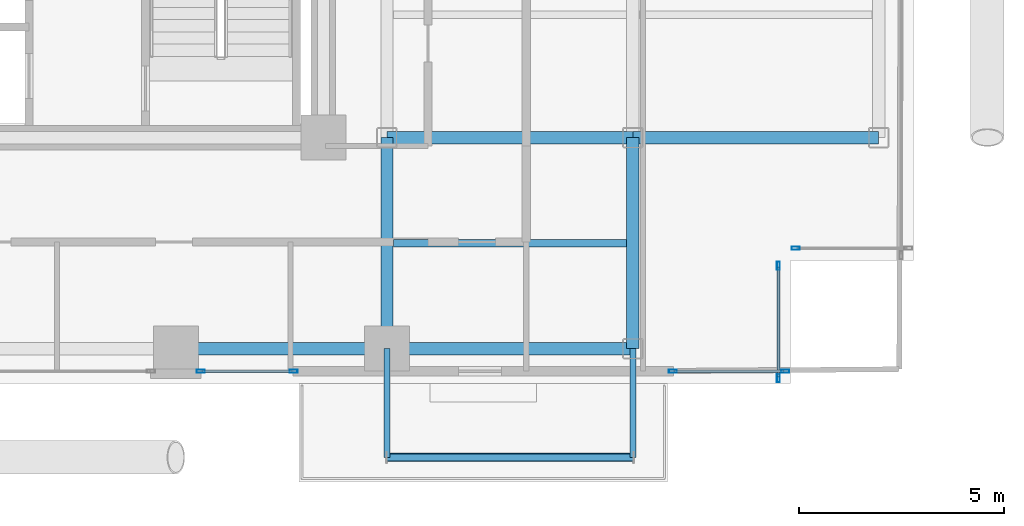
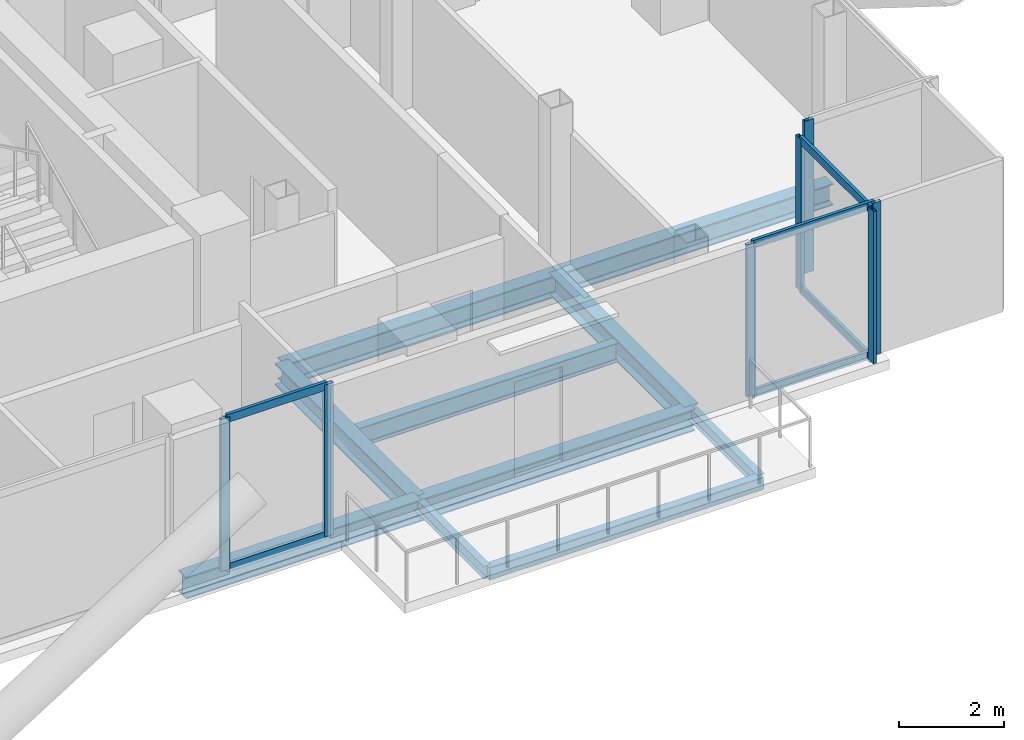
# One storey, part 10 of 28: 13 members, 10 beams, 4 elements without a shape of their own.
"""IFC4 building model written with IfcOpenShell, lengths in metres."""

from ifc_helpers import new_model, si_unit, direction, frame, origin, origin_2d, place, context, subcontext, project, spatial, hollow_rectangle, i_section, extrude, material, layer, layer_set, material_profile, profile_set, type_object, element, aggregate, save


model = new_model("IFC4")

# Units and contexts
model_context = context("Model", 3, precision=1e-05, world=origin(), true_north=direction((0.0, 1.0)))
body_context = subcontext(model_context, "Body", "Model", "MODEL_VIEW")
ifc_project = project(units=[si_unit("LENGTHUNIT", "METRE"), si_unit("AREAUNIT", "SQUARE_METRE"), si_unit("VOLUMEUNIT", "CUBIC_METRE"), si_unit("PLANEANGLEUNIT", "RADIAN"), si_unit("MASSUNIT", "GRAM", prefix="KILO"), si_unit("THERMODYNAMICTEMPERATUREUNIT", "KELVIN"), si_unit("POWERUNIT", "WATT")], contexts=[model_context])

# Site, building, storey
site_placement = place(None, origin())
site = spatial("IfcSite", under=ifc_project, at=site_placement, CompositionType="ELEMENT")
building_placement = place(site_placement, origin())
building = spatial("IfcBuilding", under=site, at=building_placement, Name="Svarakhadi Broadcast Tower", CompositionType="ELEMENT")
storey_placement = place(building_placement, frame((0.0, 0.0, 153.14990234375)))
storey = spatial("IfcBuildingStorey", under=building, at=storey_placement, Name="L37", CompositionType="ELEMENT", Elevation=153.14990234375)

# Beam
ifc_material_1 = material(Name="Steel S355J2 (IS 2062 E350C)", Category="steel")
ifc_material_profile_1 = material_profile(ifc_material_1, i_section(OverallWidth=0.18994140625, OverallDepth=0.449951171875, WebThickness=0.009521484375, FlangeThickness=0.0146484375, FilletRadius=0.02099609375, at=origin_2d()), Name="NPB 450x190x78")
ifc_profile_set_1 = profile_set([ifc_material_profile_1], Name="Steel S355J2 (IS 2062 E350C)")
beam_type_1 = type_object("IfcBeamType", Name="Beam_NPB450", PredefinedType="BEAM", material=ifc_profile_set_1)
beam_1_placement = place(storey_placement, frame((35.31005859375, 3.425048828125, -0.449951171875), z_axis=(1.0, 0.0, 0.0), x_axis=(0.0, 1.0, 0.0)))
element("IfcBeam", 1, at=beam_1_placement, inside=storey, type_object=beam_type_1, Name="L37 Secondary Composite Beam SB019", PredefinedType="BEAM", context=body_context, shape_type="SweptSolid", body=[
    extrude(i_section(OverallWidth=0.18994140625, OverallDepth=0.449951171875, WebThickness=0.009521484375, FlangeThickness=0.0146484375, FilletRadius=0.02099609375, at=origin_2d()), origin(), (0.0, 0.0, 1.0), 5.679931640625),
])

# Curtain wall, member
ifc_material_2 = material(Name="Anodised Bronze Aluminium AA 6063-T6", Category="aluminium")
ifc_layer = layer(ifc_material_2, 0.199951171875)
ifc_layer_set = layer_set([ifc_layer], Name="Anodised Bronze Aluminium AA 6063-T6")
curtain_wall_type = type_object("IfcCurtainWallType", Name="CW_Sys_03", PredefinedType="NOTDEFINED", material=ifc_layer_set)
curtain_wall_1_placement = place(storey_placement, origin())
curtain_wall_1 = element("IfcCurtainWall", 2, at=curtain_wall_1_placement, inside=storey, type_object=curtain_wall_type, Name="L37 Unitised Facade Curtain Wall 14", PredefinedType="NOTDEFINED")
ifc_material_profile_2 = material_profile(ifc_material_2, hollow_rectangle(XDim=0.074951171875, YDim=0.199951171875, WallThickness=0.005615234375, at=origin_2d()), Name="ALU MULLION 200x75x6")
ifc_profile_set_2 = profile_set([ifc_material_profile_2], Name="Anodised Bronze Aluminium AA 6063-T6")
member_type_1 = type_object("IfcMemberType", Name="CW_Sys_03_Mul", PredefinedType="MULLION", material=ifc_profile_set_2)
member_1_placement = place(storey_placement, frame((45.12744140625, 3.300048828125, 0.0), z_axis=(0.0, 0.0, 1.0), x_axis=(0.0, -1.0, 0.0)))
member_1 = element("IfcMember", 3, at=member_1_placement, type_object=member_type_1, Name="CW-03 mullion 2", PredefinedType="MULLION", context=body_context, shape_type="SweptSolid", body=[
    extrude(hollow_rectangle(XDim=0.074951171875, YDim=0.199951171875, WallThickness=0.005615234375, at=origin_2d()), origin(), (0.0, 0.0, 1.0), 3.525146484375),
])
aggregate(curtain_wall_1, [member_1])

# Curtain wall, members
curtain_wall_2_placement = place(storey_placement, origin())
curtain_wall_2 = element("IfcCurtainWall", 4, at=curtain_wall_2_placement, inside=storey, type_object=curtain_wall_type, Name="L37 Unitised Facade Curtain Wall 15", PredefinedType="NOTDEFINED")
member_2_placement = place(storey_placement, frame((44.699951171875, 2.87255859375, 0.0), z_axis=(0.0, 0.0, 1.0), x_axis=(1.0, 0.0, 0.0)))
member_2 = element("IfcMember", 5, at=member_2_placement, type_object=member_type_1, Name="CW-03 mullion 1", PredefinedType="MULLION", context=body_context, shape_type="SweptSolid", body=[
    extrude(hollow_rectangle(XDim=0.074951171875, YDim=0.199951171875, WallThickness=0.005615234375, at=origin_2d()), origin(), (0.0, 0.0, 1.0), 3.525146484375),
])
member_3_placement = place(storey_placement, frame((44.699951171875, 0.12744140625, 0.0), z_axis=(0.0, 0.0, 1.0), x_axis=(1.0, 0.0, 0.0)))
member_3 = element("IfcMember", 6, at=member_3_placement, type_object=member_type_1, Name="CW-03 mullion 2", PredefinedType="MULLION", context=body_context, shape_type="SweptSolid", body=[
    extrude(hollow_rectangle(XDim=0.074951171875, YDim=0.199951171875, WallThickness=0.005615234375, at=origin_2d()), origin(), (0.0, 0.0, 1.0), 3.525146484375),
])

curtain_wall_3_placement = place(storey_placement, origin())
curtain_wall_3 = element("IfcCurtainWall", 7, at=curtain_wall_3_placement, inside=storey, type_object=curtain_wall_type, Name="L37 South Curtain Wall 16", PredefinedType="NOTDEFINED")
member_4_placement = place(storey_placement, frame((44.87255859375, 0.300048828125, 0.0), z_axis=(0.0, 0.0, 1.0), x_axis=(0.0, -1.0, 0.0)))
member_4 = element("IfcMember", 8, at=member_4_placement, type_object=member_type_1, Name="CW-03 mullion 1", PredefinedType="MULLION", context=body_context, shape_type="SweptSolid", body=[
    extrude(hollow_rectangle(XDim=0.074951171875, YDim=0.199951171875, WallThickness=0.005615234375, at=origin_2d()), origin(), (0.0, 0.0, 1.0), 3.525146484375),
])
member_5_placement = place(storey_placement, frame((42.12744140625, 0.300048828125, 0.0), z_axis=(0.0, 0.0, 1.0), x_axis=(0.0, -1.0, 0.0)))
member_5 = element("IfcMember", 9, at=member_5_placement, type_object=member_type_1, Name="CW-03 mullion 2", PredefinedType="MULLION", context=body_context, shape_type="SweptSolid", body=[
    extrude(hollow_rectangle(XDim=0.074951171875, YDim=0.199951171875, WallThickness=0.005615234375, at=origin_2d()), origin(), (0.0, 0.0, 1.0), 3.525146484375),
])

curtain_wall_4_placement = place(storey_placement, origin())
curtain_wall_4 = element("IfcCurtainWall", 10, at=curtain_wall_4_placement, inside=storey, type_object=curtain_wall_type, Name="L37 South Curtain Wall 17 Bay 1", PredefinedType="NOTDEFINED")
member_6_placement = place(storey_placement, frame((32.87255859375, 0.300048828125, 0.0), z_axis=(0.0, 0.0, 1.0), x_axis=(0.0, -1.0, 0.0)))
member_6 = element("IfcMember", 11, at=member_6_placement, type_object=member_type_1, Name="CW-03 mullion 1", PredefinedType="MULLION", context=body_context, shape_type="SweptSolid", body=[
    extrude(hollow_rectangle(XDim=0.074951171875, YDim=0.199951171875, WallThickness=0.005615234375, at=origin_2d()), origin(), (0.0, 0.0, 1.0), 3.525146484375),
])
member_7_placement = place(storey_placement, frame((30.607421875, 0.300048828125, 0.0), z_axis=(0.0, 0.0, 1.0), x_axis=(0.0, -1.0, 0.0)))
member_7 = element("IfcMember", 12, at=member_7_placement, type_object=member_type_1, Name="CW-03 mullion 2", PredefinedType="MULLION", context=body_context, shape_type="SweptSolid", body=[
    extrude(hollow_rectangle(XDim=0.074951171875, YDim=0.199951171875, WallThickness=0.005615234375, at=origin_2d()), origin(), (0.0, 0.0, 1.0), 3.525146484375),
])

# Member
ifc_material_profile_3 = material_profile(ifc_material_2, hollow_rectangle(XDim=0.070068359375, YDim=0.18505859375, WallThickness=0.0048828125, at=origin_2d()), Name="ALU TRANSOM 185x70x5")
ifc_profile_set_3 = profile_set([ifc_material_profile_3], Name="Anodised Bronze Aluminium AA 6063-T6")
member_type_2 = type_object("IfcMemberType", Name="CW_Sys_03_Trn", PredefinedType="USERDEFINED", material=ifc_profile_set_3)
member_8_placement = place(storey_placement, frame((44.699951171875, 2.8349609375, 0.03515625), z_axis=(0.0, -1.0, 0.0), x_axis=(1.0, 0.0, 0.0)))
member_8 = element("IfcMember", 13, at=member_8_placement, type_object=member_type_2, Name="CW-03 transom 1.1", ObjectType="TRANSOM", PredefinedType="USERDEFINED", context=body_context, shape_type="SweptSolid", body=[
    extrude(hollow_rectangle(XDim=0.070068359375, YDim=0.18505859375, WallThickness=0.0048828125, at=origin_2d()), origin(), (0.0, 0.0, 1.0), 2.669921875),
])

member_9_placement = place(storey_placement, frame((44.699951171875, 2.8349609375, 3.489990234375), z_axis=(0.0, -1.0, 0.0), x_axis=(1.0, 0.0, 0.0)))
member_9 = element("IfcMember", 14, at=member_9_placement, type_object=member_type_2, Name="CW-03 transom 1.2", ObjectType="TRANSOM", PredefinedType="USERDEFINED", context=body_context, shape_type="SweptSolid", body=[
    extrude(hollow_rectangle(XDim=0.070068359375, YDim=0.18505859375, WallThickness=0.0048828125, at=origin_2d()), origin(), (0.0, 0.0, 1.0), 2.669921875),
])

aggregate(curtain_wall_2, [member_2, member_3, member_8, member_9])

member_10_placement = place(storey_placement, frame((44.8349609375, 0.300048828125, 0.03515625), z_axis=(-1.0, 0.0, 0.0), x_axis=(0.0, -1.0, 0.0)))
member_10 = element("IfcMember", 15, at=member_10_placement, type_object=member_type_2, Name="CW-03 transom 1.1", ObjectType="TRANSOM", PredefinedType="USERDEFINED", context=body_context, shape_type="SweptSolid", body=[
    extrude(hollow_rectangle(XDim=0.070068359375, YDim=0.18505859375, WallThickness=0.0048828125, at=origin_2d()), origin(), (0.0, 0.0, 1.0), 2.669921875),
])

member_11_placement = place(storey_placement, frame((44.8349609375, 0.300048828125, 3.489990234375), z_axis=(-1.0, 0.0, 0.0), x_axis=(0.0, -1.0, 0.0)))
member_11 = element("IfcMember", 16, at=member_11_placement, type_object=member_type_2, Name="CW-03 transom 1.2", ObjectType="TRANSOM", PredefinedType="USERDEFINED", context=body_context, shape_type="SweptSolid", body=[
    extrude(hollow_rectangle(XDim=0.070068359375, YDim=0.18505859375, WallThickness=0.0048828125, at=origin_2d()), origin(), (0.0, 0.0, 1.0), 2.669921875),
])

aggregate(curtain_wall_3, [member_4, member_5, member_10, member_11])

member_12_placement = place(storey_placement, frame((32.8349609375, 0.300048828125, 0.03515625), z_axis=(-1.0, 0.0, 0.0), x_axis=(0.0, -1.0, 0.0)))
member_12 = element("IfcMember", 17, at=member_12_placement, type_object=member_type_2, Name="CW-03 transom 1.1", ObjectType="TRANSOM", PredefinedType="USERDEFINED", context=body_context, shape_type="SweptSolid", body=[
    extrude(hollow_rectangle(XDim=0.070068359375, YDim=0.18505859375, WallThickness=0.0048828125, at=origin_2d()), origin(), (0.0, 0.0, 1.0), 2.18994140625),
])

member_13_placement = place(storey_placement, frame((32.8349609375, 0.300048828125, 3.489990234375), z_axis=(-1.0, 0.0, 0.0), x_axis=(0.0, -1.0, 0.0)))
member_13 = element("IfcMember", 18, at=member_13_placement, type_object=member_type_2, Name="CW-03 transom 1.2", ObjectType="TRANSOM", PredefinedType="USERDEFINED", context=body_context, shape_type="SweptSolid", body=[
    extrude(hollow_rectangle(XDim=0.070068359375, YDim=0.18505859375, WallThickness=0.0048828125, at=origin_2d()), origin(), (0.0, 0.0, 1.0), 2.18994140625),
])

aggregate(curtain_wall_4, [member_6, member_7, member_12, member_13])

# Beams
ifc_material_profile_4 = material_profile(ifc_material_1, i_section(OverallWidth=0.300048828125, OverallDepth=0.5, WebThickness=0.014404296875, FlangeThickness=0.028076171875, FilletRadius=0.027099609375, at=origin_2d()), Name="WPB 500x300x187")
ifc_profile_set_4 = profile_set([ifc_material_profile_4], Name="Steel S355J2 (IS 2062 E350C)")
beam_type_2 = type_object("IfcBeamType", Name="Girder_WPB500", PredefinedType="USERDEFINED", material=ifc_profile_set_4)
beam_2_placement = place(storey_placement, frame((30.0, 0.85009765625, -0.474853515625), z_axis=(1.0, 0.0, 0.0), x_axis=(0.0, 1.0, 0.0)))
element("IfcBeam", 19, at=beam_2_placement, inside=storey, type_object=beam_type_2, Name="L37 Primary E-W Girder G008", ObjectType="GIRDER", PredefinedType="USERDEFINED", context=body_context, shape_type="SweptSolid", body=[
    extrude(i_section(OverallWidth=0.300048828125, OverallDepth=0.5, WebThickness=0.014404296875, FlangeThickness=0.028076171875, FilletRadius=0.027099609375, at=origin_2d()), origin(), (0.0, 0.0, 1.0), 5.14990234375),
])
for number, where, z_axis, x_axis, name in (
    (20, (35.14990234375, 0.85009765625, -0.474853515625), (1.0, 0.0, 0.0), (0.0, 1.0, 0.0), "L37 Primary E-W Girder G009"),
    (21, (35.14990234375, 6.0, -0.474853515625), (1.0, 0.0, 0.0), (0.0, 1.0, 0.0), "L37 Primary E-W Girder G015"),
    (22, (41.14990234375, 6.0, -0.474853515625), (1.0, 0.0, 0.0), (0.0, 1.0, 0.0), "L37 Primary E-W Girder G016"),
):
    element("IfcBeam", number, at=place(storey_placement, frame(where, z_axis=z_axis, x_axis=x_axis)), inside=storey, type_object=beam_type_2, Name=name, ObjectType="GIRDER", PredefinedType="USERDEFINED", context=body_context, shape_type="SweptSolid", body=[
        extrude(i_section(OverallWidth=0.300048828125, OverallDepth=0.5, WebThickness=0.014404296875, FlangeThickness=0.028076171875, FilletRadius=0.027099609375, at=origin_2d()), origin(), (0.0, 0.0, 1.0), 6.0),
    ])
for number, where, z_axis, x_axis, name in (
    (23, (35.14990234375, 0.85009765625, -0.474853515625), (0.0, 1.0, 0.0), (-1.0, 0.0, 0.0), "L37 Primary N-S Girder G067"),
    (24, (41.14990234375, 0.85009765625, -0.474853515625), (0.0, 1.0, 0.0), (-1.0, 0.0, 0.0), "L37 Primary N-S Girder G070"),
):
    element("IfcBeam", number, at=place(storey_placement, frame(where, z_axis=z_axis, x_axis=x_axis)), inside=storey, type_object=beam_type_2, Name=name, ObjectType="GIRDER", PredefinedType="USERDEFINED", context=body_context, shape_type="SweptSolid", body=[
        extrude(i_section(OverallWidth=0.300048828125, OverallDepth=0.5, WebThickness=0.014404296875, FlangeThickness=0.028076171875, FilletRadius=0.027099609375, at=origin_2d()), origin(), (0.0, 0.0, 1.0), 5.14990234375),
    ])
ifc_material_profile_5 = material_profile(ifc_material_1, i_section(OverallWidth=0.14990234375, OverallDepth=0.300048828125, WebThickness=0.007080078125, FlangeThickness=0.0107421875, FilletRadius=0.014892578125, at=origin_2d()), Name="NPB 300x150x37")
ifc_profile_set_5 = profile_set([ifc_material_profile_5], Name="Steel S355J2 (IS 2062 E350C)")
beam_type_3 = type_object("IfcBeamType", Name="Spandrel_NPB300", PredefinedType="SPANDREL", material=ifc_profile_set_5)
for number, where, z_axis, x_axis, name in (
    (25, (35.14990234375, 0.85009765625, -0.375), (0.0, -1.0, 0.0), (1.0, 0.0, 0.0), "L37 Balcony Cantilever Bracket 1A"),
    (26, (41.14990234375, 0.85009765625, -0.375), (0.0, -1.0, 0.0), (1.0, 0.0, 0.0), "L37 Balcony Cantilever Bracket 1B"),
):
    element("IfcBeam", number, at=place(storey_placement, frame(where, z_axis=z_axis, x_axis=x_axis)), inside=storey, type_object=beam_type_3, Name=name, PredefinedType="SPANDREL", context=body_context, shape_type="SweptSolid", body=[
        extrude(i_section(OverallWidth=0.14990234375, OverallDepth=0.300048828125, WebThickness=0.007080078125, FlangeThickness=0.0107421875, FilletRadius=0.014892578125, at=origin_2d()), origin(), (0.0, 0.0, 1.0), 2.650146484375),
    ])
ifc_material_3 = material(Name="Steel S460ML (IS 2062 E450BR)", Category="steel")
ifc_material_profile_6 = material_profile(ifc_material_3, hollow_rectangle(XDim=0.199951171875, YDim=0.300048828125, WallThickness=0.012451171875, InnerFilletRadius=0.012451171875, OuterFilletRadius=0.02490234375, at=origin_2d()), Name="RHS 300x200x12.5")
ifc_profile_set_6 = profile_set([ifc_material_profile_6], Name="Steel S460ML (IS 2062 E450BR)")
beam_type_4 = type_object("IfcBeamType", Name="Spandrel_RHS300", PredefinedType="SPANDREL", material=ifc_profile_set_6)
beam_3_placement = place(storey_placement, frame((35.14990234375, -1.800048828125, -0.375), z_axis=(1.0, 0.0, 0.0), x_axis=(0.0, 1.0, 0.0)))
element("IfcBeam", 27, at=beam_3_placement, inside=storey, type_object=beam_type_4, Name="L37 Balcony Outer Spandrel 1F", PredefinedType="SPANDREL", context=body_context, shape_type="SweptSolid", body=[
    extrude(hollow_rectangle(XDim=0.199951171875, YDim=0.300048828125, WallThickness=0.012451171875, InnerFilletRadius=0.012451171875, OuterFilletRadius=0.02490234375, at=origin_2d()), origin(), (0.0, 0.0, 1.0), 6.0),
])

save(model, "model.ifc")
